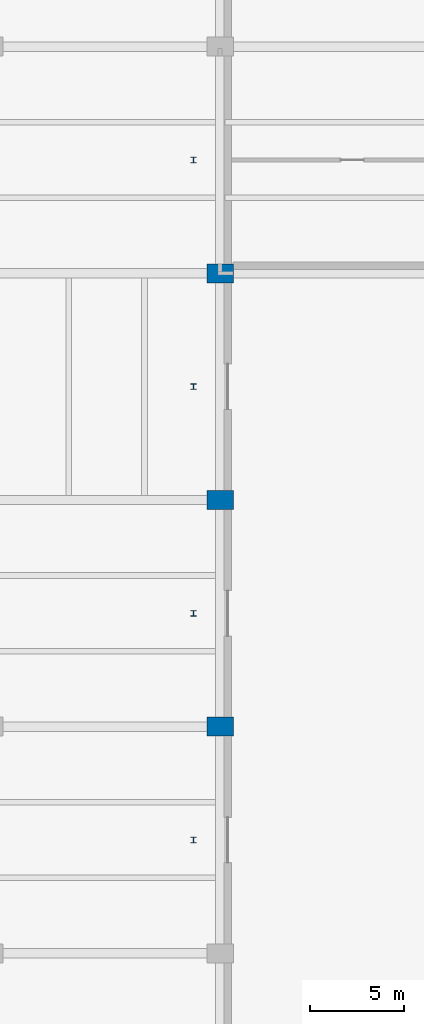
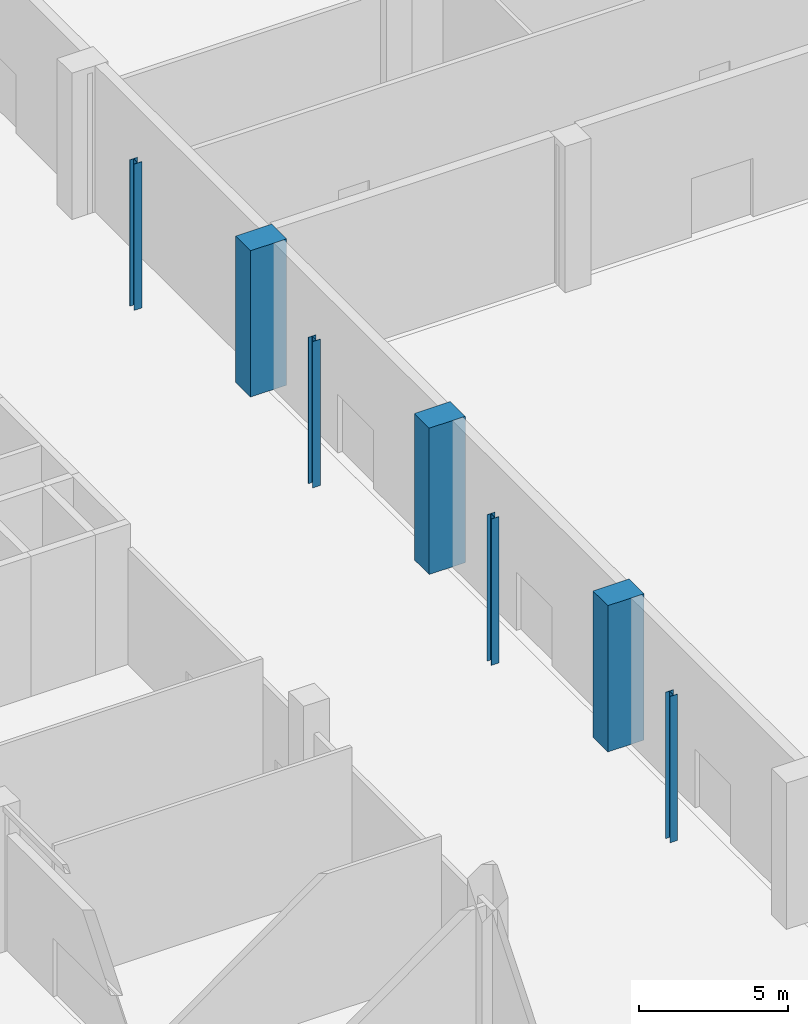
# One storey, part 5 of 59: 7 columns.
"""IFC4 building model written with IfcOpenShell, lengths in metres."""

from ifc_helpers import new_model, si_unit, direction, frame, origin, origin_2d, place, context, subcontext, project, spatial, rectangle, i_section, extrude, material, material_profile, profile_set, type_object, element, save


model = new_model("IFC4")

# Units and contexts
model_context = context("Model", 3, precision=1e-05, world=origin(), true_north=direction((0.0, 1.0)))
body_context = subcontext(model_context, "Body", "Model", "MODEL_VIEW")
ifc_project = project(units=[si_unit("LENGTHUNIT", "METRE"), si_unit("AREAUNIT", "SQUARE_METRE"), si_unit("VOLUMEUNIT", "CUBIC_METRE"), si_unit("PLANEANGLEUNIT", "RADIAN"), si_unit("MASSUNIT", "GRAM", prefix="KILO")], contexts=[model_context])

# Site, building, storey
site_placement = place(None, origin())
site = spatial("IfcSite", under=ifc_project, at=site_placement, CompositionType="ELEMENT")
building_placement = place(site_placement, origin())
building = spatial("IfcBuilding", under=site, at=building_placement, Name="Lilac Gate Convention Centre", CompositionType="ELEMENT")
storey_placement = place(building_placement, origin())
storey = spatial("IfcBuildingStorey", under=building, at=storey_placement, Name="L00", CompositionType="ELEMENT", Elevation=0.0)

# Columns
ifc_material_1 = material(Name="Concrete C40", Category="concrete")
ifc_material_profile_1 = material_profile(ifc_material_1, rectangle(XDim=1.39990234375, YDim=1.0, at=origin_2d()), Name="RC 1400x1000")
ifc_profile_set_1 = profile_set([ifc_material_profile_1], Name="Concrete C40")
column_type_1 = type_object("IfcColumnType", Name="RC hall column 1400x1000 C40", PredefinedType="COLUMN", material=ifc_profile_set_1)
for number, where, z_axis, x_axis, name in (
    (1, (30.0, 78.0, 0.0), (0.0, 0.0, 1.0), (1.0, 0.0, 0.0), "C2 L00 at 3/E"),
    (2, (30.0, 90.0, 0.0), (0.0, 0.0, 1.0), (1.0, 0.0, 0.0), "C2 L00 at 3/F"),
    (3, (30.0, 102.0, 0.0), (0.0, 0.0, 1.0), (1.0, 0.0, 0.0), "C2 L00 at 3/G"),
):
    element("IfcColumn", number, at=place(storey_placement, frame(where, z_axis=z_axis, x_axis=x_axis)), inside=storey, type_object=column_type_1, Name=name, PredefinedType="COLUMN", context=body_context, shape_type="SweptSolid", body=[
        extrude(rectangle(XDim=1.39990234375, YDim=1.0, at=origin_2d()), origin(), (0.0, 0.0, 1.0), 6.0),
    ])
ifc_material_2 = material(Name="Steel Q355B", Category="steel")
ifc_material_profile_2 = material_profile(ifc_material_2, i_section(OverallWidth=0.300048828125, OverallDepth=0.300048828125, WebThickness=0.010009765625, FlangeThickness=0.014892578125, FilletRadius=0.012939453125, at=origin_2d()), Name="HW300x300x10x15")
ifc_profile_set_2 = profile_set([ifc_material_profile_2], Name="Steel Q355B")
column_type_2 = type_object("IfcColumnType", Name="Steel column HW300x300x10x15", PredefinedType="COLUMN", material=ifc_profile_set_2)
for number, where, z_axis, x_axis, name in (
    (4, (28.60009765625, 72.0, 0.0), (0.0, 0.0, 1.0), (1.0, 0.0, 0.0), "SC1 L00 atrium column at 72"),
    (5, (28.60009765625, 84.0, 0.0), (0.0, 0.0, 1.0), (1.0, 0.0, 0.0), "SC1 L00 atrium column at 84"),
    (6, (28.60009765625, 96.0, 0.0), (0.0, 0.0, 1.0), (1.0, 0.0, 0.0), "SC1 L00 atrium column at 96"),
    (7, (28.60009765625, 108.0, 0.0), (0.0, 0.0, 1.0), (1.0, 0.0, 0.0), "SC1 L00 atrium column at 108"),
):
    element("IfcColumn", number, at=place(storey_placement, frame(where, z_axis=z_axis, x_axis=x_axis)), inside=storey, type_object=column_type_2, Name=name, PredefinedType="COLUMN", context=body_context, shape_type="SweptSolid", body=[
        extrude(i_section(OverallWidth=0.300048828125, OverallDepth=0.300048828125, WebThickness=0.010009765625, FlangeThickness=0.014892578125, FilletRadius=0.012939453125, at=origin_2d()), origin(), (0.0, 0.0, 1.0), 6.0),
    ])

save(model, "model.ifc")
